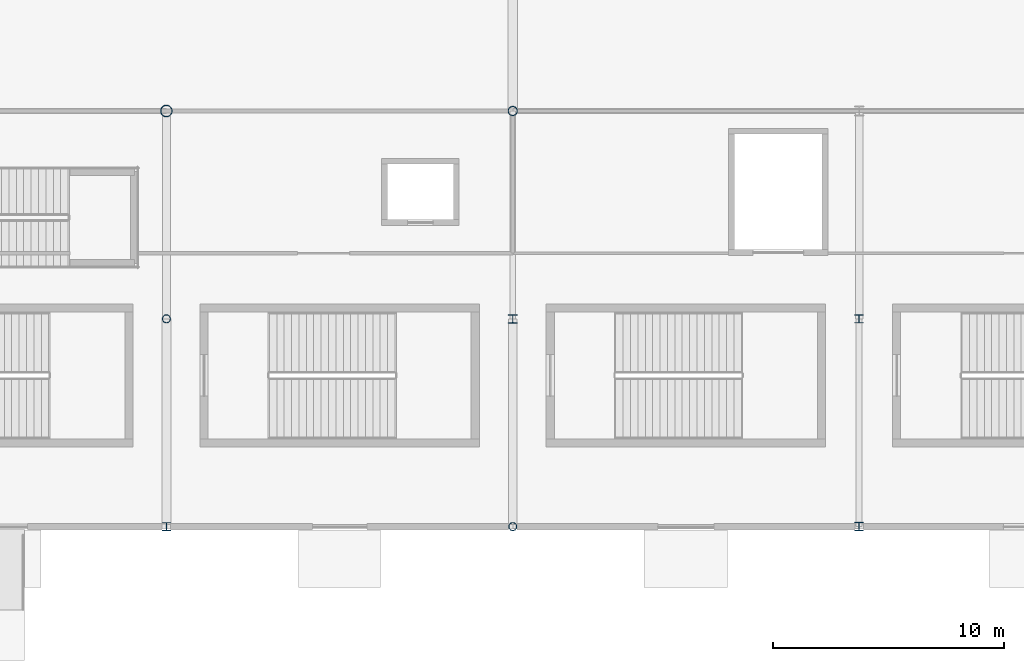
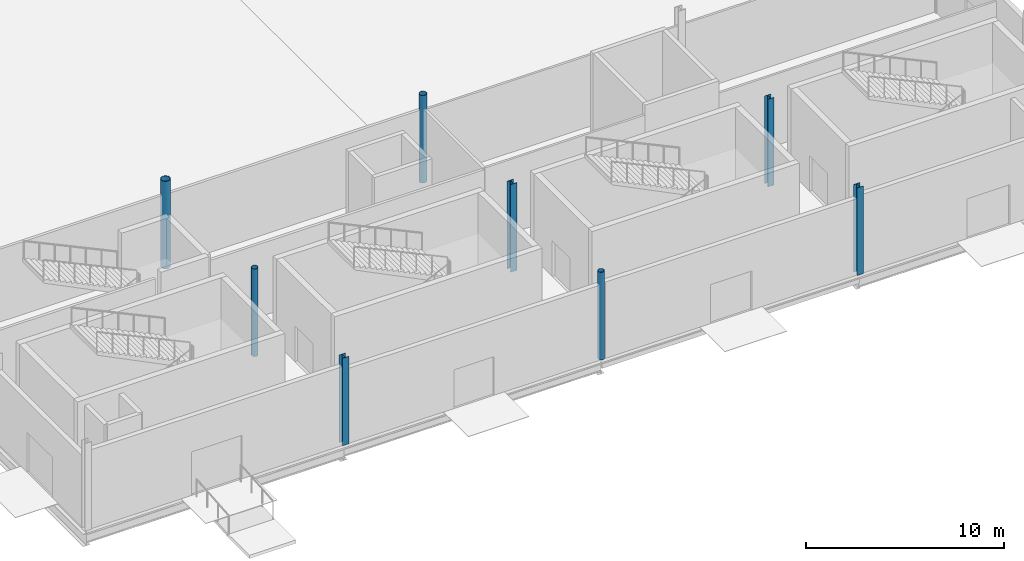
# One storey, part 4 of 94: 8 columns.
"""IFC4 building model written with IfcOpenShell, lengths in metres."""

import ifcopenshell
import ifcopenshell.guid

model = None  # the IFC model being written
_history = None  # IfcOwnerHistory: only IFC2X3 demands one
_inside = {}  # id of a spatial element -> (the spatial element, [elements in it])
_under = {}  # id of a project, library or spatial element -> (it, [spatial elements below it])
_declared = {}  # id of a project -> (the project, [libraries it declares])
_typed = {}  # id of a type object -> (the type object, [elements of that type])
_made_of = {}  # id of a material, layer set ... -> (it, [elements and type objects made of it])


def new_model(schema):
    """Start an empty IFC model of exactly this schema.

    Asked for "IFC4X3", IfcOpenShell would pick the latest addendum, in which some entities
    have other attributes; the version numbers below select the first issue.
    IFC2X3 requires an IfcOwnerHistory on every rooted entity: one is made here for all.
    """
    global model, _history
    if schema == "IFC4X3":
        model = ifcopenshell.file(schema_version=(4, 3, 0, 0))
    else:
        model = ifcopenshell.file(schema=schema)
    _inside.clear()
    _under.clear()
    _declared.clear()
    _typed.clear()
    _made_of.clear()
    _history = None
    if model.schema == "IFC2X3":
        org = make("IfcOrganization", Name="unknown")
        user = make(
            "IfcPersonAndOrganization",
            ThePerson=make("IfcPerson", FamilyName="unknown"),
            TheOrganization=org,
        )
        app = make(
            "IfcApplication",
            ApplicationDeveloper=org,
            Version="unknown",
            ApplicationFullName="unknown",
            ApplicationIdentifier="unknown",
        )
        _history = make(
            "IfcOwnerHistory",
            OwningUser=user,
            OwningApplication=app,
            ChangeAction="ADDED",
            CreationDate=0,
        )
    return model


def make(cls, **values):
    """One entity of the class cls with the attributes given. An attribute that is None is left unset."""
    return model.create_entity(
        cls, **{name: value for name, value in values.items() if value is not None}
    )


def rooted(cls, **values):
    """An entity with a GlobalId (a new one), such as an element, a storey or a relation."""
    return make(cls, GlobalId=ifcopenshell.guid.new(), OwnerHistory=_history, **values)


def si_unit(unit_type, name, prefix=None):
    """IfcSIUnit, for example si_unit("LENGTHUNIT", "METRE", prefix="MILLI")."""
    return make("IfcSIUnit", UnitType=unit_type, Prefix=prefix, Name=name)


def assignment(units):
    """IfcUnitAssignment: the units of a project."""
    return None if units is None else make("IfcUnitAssignment", Units=units)


def point(xyz):
    """IfcCartesianPoint."""
    return None if xyz is None else make("IfcCartesianPoint", Coordinates=xyz)


def direction(xyz):
    """IfcDirection."""
    return None if xyz is None else make("IfcDirection", DirectionRatios=xyz)


def frame(location, z_axis=None, x_axis=None):
    """IfcAxis2Placement3D, a coordinate frame: its origin and axes. An axis left out is left unset."""
    return make(
        "IfcAxis2Placement3D",
        Location=point(location),
        Axis=direction(z_axis),
        RefDirection=direction(x_axis),
    )


def frame_2d(location, x_axis=None):
    """IfcAxis2Placement2D, a coordinate frame in the plane: its origin and x axis."""
    return make(
        "IfcAxis2Placement2D", Location=point(location), RefDirection=direction(x_axis)
    )


def origin():
    """The frame at (0, 0, 0) with its axes left unset."""
    return frame((0.0, 0.0, 0.0))


def origin_2d():
    """The frame at (0, 0) in the plane with its x axis left unset."""
    return frame_2d((0.0, 0.0))


def place(relative_to, where):
    """IfcLocalPlacement: puts the frame where relative to a parent placement (None: the world)."""
    return make(
        "IfcLocalPlacement", PlacementRelTo=relative_to, RelativePlacement=where
    )


def context(
    kind, dimensions, precision=None, world=None, true_north=None, identifier=None
):
    """IfcGeometricRepresentationContext, for example the 3D "Model" context."""
    return make(
        "IfcGeometricRepresentationContext",
        ContextIdentifier=identifier,
        ContextType=kind,
        CoordinateSpaceDimension=dimensions,
        Precision=precision,
        WorldCoordinateSystem=world,
        TrueNorth=true_north,
    )


def subcontext(parent, identifier, kind, view, scale=None):
    """IfcGeometricRepresentationSubContext, for example "Body" below "Model"."""
    return make(
        "IfcGeometricRepresentationSubContext",
        ContextIdentifier=identifier,
        ContextType=kind,
        ParentContext=parent,
        TargetScale=scale,
        TargetView=view,
    )


def project(units=None, contexts=None):
    """IfcProject with its units and contexts."""
    return rooted(
        "IfcProject",
        Name="project",
        RepresentationContexts=contexts,
        UnitsInContext=assignment(units),
    )


def spatial(cls, under=None, at=None, **own):
    """A site, building, storey or space (cls), placed at a placement, below another one or the project."""
    s = rooted(cls, ObjectPlacement=at, **own)
    if under is not None:
        _under.setdefault(under.id(), (under, []))[1].append(s)
    return s


def profile(cls, at=None, kind="AREA", **sizes):
    """A parametric profile (cls). Its sizes go by their IFC names, for example OverallWidth=200.0."""
    return make(cls, ProfileType=kind, Position=at, **sizes)


def hollow_circle(**sizes):
    """IfcCircleHollowProfileDef."""
    return profile("IfcCircleHollowProfileDef", **sizes)


def i_section(**sizes):
    """IfcIShapeProfileDef."""
    return profile("IfcIShapeProfileDef", **sizes)


def extrude(swept, where, along, depth):
    """IfcExtrudedAreaSolid: the profile swept, set in the frame where, extruded along a direction by depth."""
    return make(
        "IfcExtrudedAreaSolid",
        SweptArea=swept,
        Position=where,
        ExtrudedDirection=direction(along),
        Depth=depth,
    )


def shape(context_of_items, identifier, shape_type, items):
    """IfcShapeRepresentation: the items that make up one representation, for example the "Body"."""
    return make(
        "IfcShapeRepresentation",
        ContextOfItems=context_of_items,
        RepresentationIdentifier=identifier,
        RepresentationType=shape_type,
        Items=items,
    )


def material(Name=None, Category=None):
    """IfcMaterial."""
    return make("IfcMaterial", Name=Name, Category=Category)


def material_profile(
    of_material, cross_section, Name=None, Category=None, Priority=None
):
    """IfcMaterialProfile: a cross section and its material."""
    return make(
        "IfcMaterialProfile",
        Name=Name,
        Material=of_material,
        Profile=cross_section,
        Priority=Priority,
        Category=Category,
    )


def profile_set(profiles, Name=None, composite=None):
    """IfcMaterialProfileSet."""
    return make(
        "IfcMaterialProfileSet",
        Name=Name,
        MaterialProfiles=profiles,
        CompositeProfile=composite,
    )


def made_of(thing, what):
    """Note that an element or type object is made of a material, layer set ...; save() writes the relation."""
    if what is not None:
        _made_of.setdefault(what.id(), (what, []))[1].append(thing)
    return thing


def type_object(cls, material=None, **own):
    """A type object (cls), such as IfcWallType, which elements share."""
    return made_of(rooted(cls, **own), material)


def element(
    cls,
    number,
    at=None,
    inside=None,
    cuts=None,
    type_object=None,
    material=None,
    context=None,
    identifier="Body",
    shape_type=None,
    held_by="IfcProductDefinitionShape",
    body=None,
    shapes=None,
    **own,
):
    """One element of the class cls, such as IfcWall. Its Tag is "e" and its number.

    at: its placement. inside: the storey or other place that contains it. cuts: it is an
    opening in that element (IfcRelVoidsElement). A single representation is given by context,
    identifier, shape_type and body (its items); several are given by shapes. held_by: the class
    of the entity that holds the representations. save() writes the other relations.
    """
    e = rooted(cls, Tag="e%d" % number, ObjectPlacement=at, **own)
    if body is not None:
        shapes = [shape(context, identifier, shape_type, body)]
    if shapes is not None:
        e.Representation = make(held_by, Representations=shapes)
    if inside is not None:
        _inside.setdefault(inside.id(), (inside, []))[1].append(e)
    if cuts is not None:
        rooted(
            "IfcRelVoidsElement", RelatingBuildingElement=cuts, RelatedOpeningElement=e
        )
    if type_object is not None:
        _typed.setdefault(type_object.id(), (type_object, []))[1].append(e)
    return made_of(e, material)


def aggregate(whole, parts):
    """IfcRelAggregates: a whole, such as a stair, and the parts it consists of."""
    return rooted("IfcRelAggregates", RelatingObject=whole, RelatedObjects=parts)


def save(model, path):
    """Write the relations noted so far, then the file.

    IfcRelAggregates (storeys below a building ...), IfcRelContainedInSpatialStructure (elements
    in a storey), IfcRelDefinesByType, IfcRelAssociatesMaterial and IfcRelDeclares: one each for
    every whole, place, type object, material and project.
    """
    for whole, parts in _under.values():
        aggregate(whole, parts)
    for where, things in _inside.values():
        rooted(
            "IfcRelContainedInSpatialStructure",
            RelatedElements=things,
            RelatingStructure=where,
        )
    for kind, things in _typed.values():
        rooted("IfcRelDefinesByType", RelatedObjects=things, RelatingType=kind)
    for what, things in _made_of.values():
        rooted("IfcRelAssociatesMaterial", RelatedObjects=things, RelatingMaterial=what)
    for by, libraries in _declared.values():
        rooted("IfcRelDeclares", RelatingContext=by, RelatedDefinitions=libraries)
    model.write(path)


model = new_model("IFC4")

# Units and contexts
model_context = context("Model", 3, precision=1e-05, world=origin(), true_north=direction((0.0, 1.0)))
body_context = subcontext(model_context, "Body", "Model", "MODEL_VIEW")
ifc_project = project(units=[si_unit("LENGTHUNIT", "METRE"), si_unit("AREAUNIT", "SQUARE_METRE"), si_unit("VOLUMEUNIT", "CUBIC_METRE"), si_unit("PLANEANGLEUNIT", "RADIAN"), si_unit("MASSUNIT", "GRAM", prefix="KILO")], contexts=[model_context])

# Site, building, storey
site_placement = place(None, origin())
site = spatial("IfcSite", under=ifc_project, at=site_placement, CompositionType="ELEMENT")
building_placement = place(site_placement, origin())
building = spatial("IfcBuilding", under=site, at=building_placement, Name="Qamarlyn Nura Convention Centre", CompositionType="ELEMENT")
storey_placement = place(building_placement, origin())
storey = spatial("IfcBuildingStorey", under=building, at=storey_placement, Name="L00", CompositionType="ELEMENT", Elevation=0.0)

# Columns
ifc_material_1 = material(Name="Pearl-white PVDF steel ASTM A500 Grade C", Category="steel")
ifc_material_profile_1 = material_profile(ifc_material_1, hollow_circle(Radius=0.25390625, WallThickness=0.02001953125, at=origin_2d()), Name="CHS508X20")
ifc_profile_set_1 = profile_set([ifc_material_profile_1], Name="Pearl-white PVDF steel ASTM A500 Grade C")
column_type_1 = type_object("IfcColumnType", Name="COL-HALL-1", PredefinedType="COLUMN", material=ifc_profile_set_1)
column_1_placement = place(storey_placement, frame((75.0, 18.0, 0.0), z_axis=(0.0, 0.0, 1.0), x_axis=(1.0, 0.0, 0.0)))
element("IfcColumn", 1, at=column_1_placement, inside=storey, type_object=column_type_1, Name="L00 column 6/C", PredefinedType="COLUMN", context=body_context, shape_type="SweptSolid", body=[
    extrude(hollow_circle(Radius=0.25390625, WallThickness=0.02001953125, at=origin_2d()), origin(), (0.0, 0.0, 1.0), 5.39990234375),
])
ifc_material_profile_2 = material_profile(ifc_material_1, hollow_circle(Radius=0.203125, WallThickness=0.01611328125, at=origin_2d()), Name="CHS406.4X16")
ifc_profile_set_2 = profile_set([ifc_material_profile_2], Name="Pearl-white PVDF steel ASTM A500 Grade C")
column_type_2 = type_object("IfcColumnType", Name="COL-TUBE-1", PredefinedType="COLUMN", material=ifc_profile_set_2)
column_2_placement = place(storey_placement, frame((90.0, 18.0, 0.0), z_axis=(0.0, 0.0, 1.0), x_axis=(1.0, 0.0, 0.0)))
element("IfcColumn", 2, at=column_2_placement, inside=storey, type_object=column_type_2, Name="L00 column 7/C", PredefinedType="COLUMN", context=body_context, shape_type="SweptSolid", body=[
    extrude(hollow_circle(Radius=0.203125, WallThickness=0.01611328125, at=origin_2d()), origin(), (0.0, 0.0, 1.0), 5.39990234375),
])
ifc_material_profile_3 = material_profile(ifc_material_1, hollow_circle(Radius=0.177734375, WallThickness=0.01611328125, at=origin_2d()), Name="CHS355.6X16")
ifc_profile_set_3 = profile_set([ifc_material_profile_3], Name="Pearl-white PVDF steel ASTM A500 Grade C")
column_type_3 = type_object("IfcColumnType", Name="COL-TUBE-2", PredefinedType="COLUMN", material=ifc_profile_set_3)
for number, where, z_axis, x_axis, name in (
    (3, (75.0, 9.0, 0.0), (0.0, 0.0, 1.0), (1.0, 0.0, 0.0), "L00 column 6/B"),
    (4, (90.0, 0.0, 0.0), (0.0, 0.0, 1.0), (1.0, 0.0, 0.0), "L00 column 7/A"),
):
    element("IfcColumn", number, at=place(storey_placement, frame(where, z_axis=z_axis, x_axis=x_axis)), inside=storey, type_object=column_type_3, Name=name, PredefinedType="COLUMN", context=body_context, shape_type="SweptSolid", body=[
        extrude(hollow_circle(Radius=0.177734375, WallThickness=0.01611328125, at=origin_2d()), origin(), (0.0, 0.0, 1.0), 5.39990234375),
    ])
ifc_material_2 = material(Name="Steel ASTM A992", Category="steel")
ifc_material_profile_4 = material_profile(ifc_material_2, i_section(OverallWidth=0.3740234375, OverallDepth=0.3720703125, WebThickness=0.016357421875, FlangeThickness=0.026123046875, FilletRadius=0.01611328125, at=origin_2d()), Name="W360X196")
ifc_profile_set_4 = profile_set([ifc_material_profile_4], Name="Steel ASTM A992")
column_type_4 = type_object("IfcColumnType", Name="COL-WING-2", PredefinedType="COLUMN", material=ifc_profile_set_4)
for number, where, z_axis, x_axis, name in (
    (5, (90.0, 9.0, 0.0), (0.0, 0.0, 1.0), (1.0, 0.0, 0.0), "L00 column 7/B"),
    (6, (105.0, 0.0, 0.0), (0.0, 0.0, 1.0), (1.0, 0.0, 0.0), "L00 column 8/A"),
):
    element("IfcColumn", number, at=place(storey_placement, frame(where, z_axis=z_axis, x_axis=x_axis)), inside=storey, type_object=column_type_4, Name=name, PredefinedType="COLUMN", context=body_context, shape_type="SweptSolid", body=[
        extrude(i_section(OverallWidth=0.3740234375, OverallDepth=0.3720703125, WebThickness=0.016357421875, FlangeThickness=0.026123046875, FilletRadius=0.01611328125, at=origin_2d()), origin(), (0.0, 0.0, 1.0), 5.39990234375),
    ])
ifc_material_profile_5 = material_profile(ifc_material_2, i_section(OverallWidth=0.368896484375, OverallDepth=0.35595703125, WebThickness=0.01123046875, FlangeThickness=0.01806640625, FilletRadius=0.014892578125, at=origin_2d()), Name="W360X134")
ifc_profile_set_5 = profile_set([ifc_material_profile_5], Name="Steel ASTM A992")
column_type_5 = type_object("IfcColumnType", Name="COL-WING-3", PredefinedType="COLUMN", material=ifc_profile_set_5)
for number, where, z_axis, x_axis, name in (
    (7, (75.0, 0.0, 0.0), (0.0, 0.0, 1.0), (1.0, 0.0, 0.0), "L00 column 6/A"),
    (8, (105.0, 9.0, 0.0), (0.0, 0.0, 1.0), (1.0, 0.0, 0.0), "L00 column 8/B"),
):
    element("IfcColumn", number, at=place(storey_placement, frame(where, z_axis=z_axis, x_axis=x_axis)), inside=storey, type_object=column_type_5, Name=name, PredefinedType="COLUMN", context=body_context, shape_type="SweptSolid", body=[
        extrude(i_section(OverallWidth=0.368896484375, OverallDepth=0.35595703125, WebThickness=0.01123046875, FlangeThickness=0.01806640625, FilletRadius=0.014892578125, at=origin_2d()), origin(), (0.0, 0.0, 1.0), 5.39990234375),
    ])

save(model, "model.ifc")
